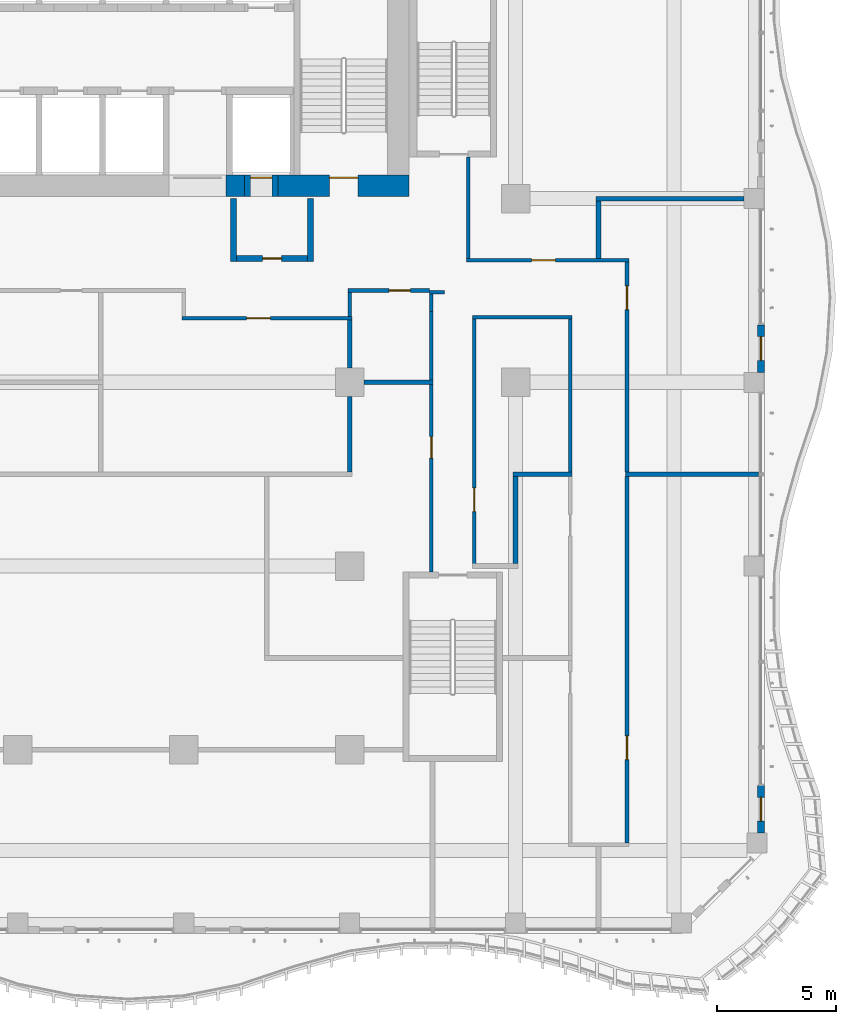
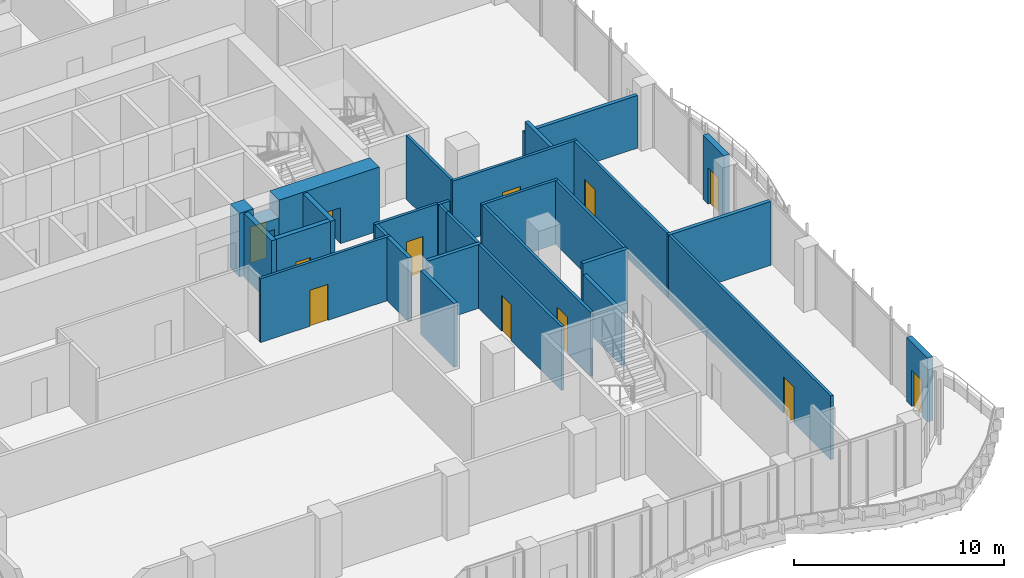
# One storey, part 14 of 27: 30 walls, 12 doors, 12 openings.
"""IFC4 building model written with IfcOpenShell, lengths in metres."""

import ifcopenshell
import ifcopenshell.guid

model = None  # the IFC model being written
_history = None  # IfcOwnerHistory: only IFC2X3 demands one
_inside = {}  # id of a spatial element -> (the spatial element, [elements in it])
_under = {}  # id of a project, library or spatial element -> (it, [spatial elements below it])
_declared = {}  # id of a project -> (the project, [libraries it declares])
_typed = {}  # id of a type object -> (the type object, [elements of that type])
_made_of = {}  # id of a material, layer set ... -> (it, [elements and type objects made of it])


def new_model(schema):
    """Start an empty IFC model of exactly this schema.

    Asked for "IFC4X3", IfcOpenShell would pick the latest addendum, in which some entities
    have other attributes; the version numbers below select the first issue.
    IFC2X3 requires an IfcOwnerHistory on every rooted entity: one is made here for all.
    """
    global model, _history
    if schema == "IFC4X3":
        model = ifcopenshell.file(schema_version=(4, 3, 0, 0))
    else:
        model = ifcopenshell.file(schema=schema)
    _inside.clear()
    _under.clear()
    _declared.clear()
    _typed.clear()
    _made_of.clear()
    _history = None
    if model.schema == "IFC2X3":
        org = make("IfcOrganization", Name="unknown")
        user = make(
            "IfcPersonAndOrganization",
            ThePerson=make("IfcPerson", FamilyName="unknown"),
            TheOrganization=org,
        )
        app = make(
            "IfcApplication",
            ApplicationDeveloper=org,
            Version="unknown",
            ApplicationFullName="unknown",
            ApplicationIdentifier="unknown",
        )
        _history = make(
            "IfcOwnerHistory",
            OwningUser=user,
            OwningApplication=app,
            ChangeAction="ADDED",
            CreationDate=0,
        )
    return model


def make(cls, **values):
    """One entity of the class cls with the attributes given. An attribute that is None is left unset."""
    return model.create_entity(
        cls, **{name: value for name, value in values.items() if value is not None}
    )


def rooted(cls, **values):
    """An entity with a GlobalId (a new one), such as an element, a storey or a relation."""
    return make(cls, GlobalId=ifcopenshell.guid.new(), OwnerHistory=_history, **values)


def si_unit(unit_type, name, prefix=None):
    """IfcSIUnit, for example si_unit("LENGTHUNIT", "METRE", prefix="MILLI")."""
    return make("IfcSIUnit", UnitType=unit_type, Prefix=prefix, Name=name)


def assignment(units):
    """IfcUnitAssignment: the units of a project."""
    return None if units is None else make("IfcUnitAssignment", Units=units)


def point(xyz):
    """IfcCartesianPoint."""
    return None if xyz is None else make("IfcCartesianPoint", Coordinates=xyz)


def direction(xyz):
    """IfcDirection."""
    return None if xyz is None else make("IfcDirection", DirectionRatios=xyz)


def frame(location, z_axis=None, x_axis=None):
    """IfcAxis2Placement3D, a coordinate frame: its origin and axes. An axis left out is left unset."""
    return make(
        "IfcAxis2Placement3D",
        Location=point(location),
        Axis=direction(z_axis),
        RefDirection=direction(x_axis),
    )


def frame_2d(location, x_axis=None):
    """IfcAxis2Placement2D, a coordinate frame in the plane: its origin and x axis."""
    return make(
        "IfcAxis2Placement2D", Location=point(location), RefDirection=direction(x_axis)
    )


def origin():
    """The frame at (0, 0, 0) with its axes left unset."""
    return frame((0.0, 0.0, 0.0))


def place(relative_to, where):
    """IfcLocalPlacement: puts the frame where relative to a parent placement (None: the world)."""
    return make(
        "IfcLocalPlacement", PlacementRelTo=relative_to, RelativePlacement=where
    )


def context(
    kind, dimensions, precision=None, world=None, true_north=None, identifier=None
):
    """IfcGeometricRepresentationContext, for example the 3D "Model" context."""
    return make(
        "IfcGeometricRepresentationContext",
        ContextIdentifier=identifier,
        ContextType=kind,
        CoordinateSpaceDimension=dimensions,
        Precision=precision,
        WorldCoordinateSystem=world,
        TrueNorth=true_north,
    )


def subcontext(parent, identifier, kind, view, scale=None):
    """IfcGeometricRepresentationSubContext, for example "Body" below "Model"."""
    return make(
        "IfcGeometricRepresentationSubContext",
        ContextIdentifier=identifier,
        ContextType=kind,
        ParentContext=parent,
        TargetScale=scale,
        TargetView=view,
    )


def project(units=None, contexts=None):
    """IfcProject with its units and contexts."""
    return rooted(
        "IfcProject",
        Name="project",
        RepresentationContexts=contexts,
        UnitsInContext=assignment(units),
    )


def spatial(cls, under=None, at=None, **own):
    """A site, building, storey or space (cls), placed at a placement, below another one or the project."""
    s = rooted(cls, ObjectPlacement=at, **own)
    if under is not None:
        _under.setdefault(under.id(), (under, []))[1].append(s)
    return s


def profile(cls, at=None, kind="AREA", **sizes):
    """A parametric profile (cls). Its sizes go by their IFC names, for example OverallWidth=200.0."""
    return make(cls, ProfileType=kind, Position=at, **sizes)


def rectangle(**sizes):
    """IfcRectangleProfileDef."""
    return profile("IfcRectangleProfileDef", **sizes)


def extrude(swept, where, along, depth):
    """IfcExtrudedAreaSolid: the profile swept, set in the frame where, extruded along a direction by depth."""
    return make(
        "IfcExtrudedAreaSolid",
        SweptArea=swept,
        Position=where,
        ExtrudedDirection=direction(along),
        Depth=depth,
    )


def shape(context_of_items, identifier, shape_type, items):
    """IfcShapeRepresentation: the items that make up one representation, for example the "Body"."""
    return make(
        "IfcShapeRepresentation",
        ContextOfItems=context_of_items,
        RepresentationIdentifier=identifier,
        RepresentationType=shape_type,
        Items=items,
    )


def source(mapping_origin, context_of_items, identifier, shape_type, items):
    """IfcRepresentationMap: a shape defined once, which mapped items show again and again."""
    return make(
        "IfcRepresentationMap",
        MappingOrigin=mapping_origin,
        MappedRepresentation=shape(context_of_items, identifier, shape_type, items),
    )


def transform(
    local_origin,
    x_axis=None,
    y_axis=None,
    z_axis=None,
    scale=None,
    scale2=None,
    scale3=None,
    uniform=True,
):
    """IfcCartesianTransformationOperator3D, or its non-uniform kind. x_axis, y_axis, z_axis: its Axis1, 2, 3."""
    if uniform:
        return make(
            "IfcCartesianTransformationOperator3D",
            Axis1=direction(x_axis),
            Axis2=direction(y_axis),
            LocalOrigin=point(local_origin),
            Scale=scale,
            Axis3=direction(z_axis),
        )
    return make(
        "IfcCartesianTransformationOperator3DnonUniform",
        Axis1=direction(x_axis),
        Axis2=direction(y_axis),
        LocalOrigin=point(local_origin),
        Scale=scale,
        Axis3=direction(z_axis),
        Scale2=scale2,
        Scale3=scale3,
    )


def mapped(mapping_source, mapping_target):
    """IfcMappedItem: shows the shape of a source again, moved by a transform."""
    return make(
        "IfcMappedItem", MappingSource=mapping_source, MappingTarget=mapping_target
    )


def material(Name=None, Category=None):
    """IfcMaterial."""
    return make("IfcMaterial", Name=Name, Category=Category)


def layer(
    of_material, thickness, ventilated=None, Name=None, Category=None, Priority=None
):
    """IfcMaterialLayer: one layer of a wall or slab, of a material (None: an air gap)."""
    return make(
        "IfcMaterialLayer",
        Material=of_material,
        LayerThickness=thickness,
        IsVentilated=ventilated,
        Name=Name,
        Category=Category,
        Priority=Priority,
    )


def layer_set(layers, Name=None):
    """IfcMaterialLayerSet."""
    return make("IfcMaterialLayerSet", MaterialLayers=layers, LayerSetName=Name)


def made_of(thing, what):
    """Note that an element or type object is made of a material, layer set ...; save() writes the relation."""
    if what is not None:
        _made_of.setdefault(what.id(), (what, []))[1].append(thing)
    return thing


def type_object(cls, material=None, **own):
    """A type object (cls), such as IfcWallType, which elements share."""
    return made_of(rooted(cls, **own), material)


def element(
    cls,
    number,
    at=None,
    inside=None,
    cuts=None,
    type_object=None,
    material=None,
    context=None,
    identifier="Body",
    shape_type=None,
    held_by="IfcProductDefinitionShape",
    body=None,
    shapes=None,
    **own,
):
    """One element of the class cls, such as IfcWall. Its Tag is "e" and its number.

    at: its placement. inside: the storey or other place that contains it. cuts: it is an
    opening in that element (IfcRelVoidsElement). A single representation is given by context,
    identifier, shape_type and body (its items); several are given by shapes. held_by: the class
    of the entity that holds the representations. save() writes the other relations.
    """
    e = rooted(cls, Tag="e%d" % number, ObjectPlacement=at, **own)
    if body is not None:
        shapes = [shape(context, identifier, shape_type, body)]
    if shapes is not None:
        e.Representation = make(held_by, Representations=shapes)
    if inside is not None:
        _inside.setdefault(inside.id(), (inside, []))[1].append(e)
    if cuts is not None:
        rooted(
            "IfcRelVoidsElement", RelatingBuildingElement=cuts, RelatedOpeningElement=e
        )
    if type_object is not None:
        _typed.setdefault(type_object.id(), (type_object, []))[1].append(e)
    return made_of(e, material)


def fill(opening, filler):
    """IfcRelFillsElement: the door or window that sits in an opening."""
    return rooted(
        "IfcRelFillsElement",
        RelatingOpeningElement=opening,
        RelatedBuildingElement=filler,
    )


def aggregate(whole, parts):
    """IfcRelAggregates: a whole, such as a stair, and the parts it consists of."""
    return rooted("IfcRelAggregates", RelatingObject=whole, RelatedObjects=parts)


def save(model, path):
    """Write the relations noted so far, then the file.

    IfcRelAggregates (storeys below a building ...), IfcRelContainedInSpatialStructure (elements
    in a storey), IfcRelDefinesByType, IfcRelAssociatesMaterial and IfcRelDeclares: one each for
    every whole, place, type object, material and project.
    """
    for whole, parts in _under.values():
        aggregate(whole, parts)
    for where, things in _inside.values():
        rooted(
            "IfcRelContainedInSpatialStructure",
            RelatedElements=things,
            RelatingStructure=where,
        )
    for kind, things in _typed.values():
        rooted("IfcRelDefinesByType", RelatedObjects=things, RelatingType=kind)
    for what, things in _made_of.values():
        rooted("IfcRelAssociatesMaterial", RelatedObjects=things, RelatingMaterial=what)
    for by, libraries in _declared.values():
        rooted("IfcRelDeclares", RelatingContext=by, RelatedDefinitions=libraries)
    model.write(path)


model = new_model("IFC4")

# Units and contexts
model_context = context("Model", 3, precision=1e-05, world=origin(), true_north=direction((0.0, 1.0)))
body_context = subcontext(model_context, "Body", "Model", "MODEL_VIEW")
ifc_project = project(units=[si_unit("LENGTHUNIT", "METRE"), si_unit("AREAUNIT", "SQUARE_METRE"), si_unit("VOLUMEUNIT", "CUBIC_METRE"), si_unit("PLANEANGLEUNIT", "RADIAN"), si_unit("MASSUNIT", "GRAM", prefix="KILO")], contexts=[model_context])

# Site, building, storey
site_placement = place(None, origin())
site = spatial("IfcSite", under=ifc_project, at=site_placement, CompositionType="ELEMENT")
building_placement = place(site_placement, origin())
building = spatial("IfcBuilding", under=site, at=building_placement, Name="Kilnfold Tower and Market Hall", CompositionType="ELEMENT")
storey_placement = place(building_placement, frame((0.0, 0.0, 112.60009765625)))
storey = spatial("IfcBuildingStorey", under=building, at=storey_placement, Name="L26", CompositionType="ELEMENT", Elevation=112.60009765625)

# Wall, opening, door
ifc_material_1 = material(Name="Gypsum board on steel studs", Category="steel")
ifc_layer_1 = layer(ifc_material_1, 0.14990234375)
ifc_layer_set_1 = layer_set([ifc_layer_1], Name="Gypsum board on steel studs")
wall_type_1 = type_object("IfcWallType", Name="WALL CORRIDOR 150", PredefinedType="PARTITIONING", material=ifc_layer_set_1)
wall_1_placement = place(storey_placement, frame((8.425048828125, 2.949951171875, 0.0), z_axis=(0.0, 0.0, 1.0), x_axis=(1.0, 0.0, 0.0)))
wall_1 = element("IfcWall", 1, at=wall_1_placement, inside=storey, type_object=wall_type_1, Name="Partition LY17.15", PredefinedType="PARTITIONING", context=body_context, shape_type="SweptSolid", body=[
    extrude(rectangle(XDim=7.175048828125, YDim=0.14990234375, at=frame_2d((3.58740234375, 0.0))), origin(), (0.0, 0.0, 1.0), 3.719970703125),
])
opening_1_placement = place(wall_1_placement, frame((2.73291015625, 0.0, 0.0)))
opening_1 = element("IfcOpeningElement", 2, at=opening_1_placement, cuts=wall_1, Name="Opening D1", PredefinedType="OPENING", context=body_context, shape_type="SweptSolid", body=[
    extrude(rectangle(XDim=1.0, YDim=2.10009765625, at=frame_2d((0.5, 1.050048828125))), frame((0.0, 0.0849609375, 0.0), z_axis=(0.0, -1.0, 0.0), x_axis=(1.0, 0.0, 0.0)), (0.0, 0.0, 1.0), 0.169921875),
])
ifc_material_2 = material(Name="Timber veneer door leaf in steel frame", Category="steel")
door_type_1 = type_object("IfcDoorType", Name="DOOR ENTRY 1000 X2100", OperationType="NOTDEFINED", PredefinedType="DOOR", material=ifc_material_2)
door_1_placement = place(opening_1_placement, origin())
door_1 = element("IfcDoor", 3, at=door_1_placement, inside=storey, type_object=door_type_1, Name="Door D1", OperationType="SINGLE_SWING_RIGHT", OverallHeight=2.10009765625, OverallWidth=1.0, PredefinedType="DOOR", context=body_context, shape_type="SweptSolid", body=[
    extrude(rectangle(XDim=1.0, YDim=2.10009765625, at=frame_2d((0.5, 1.050048828125))), frame((0.0, 0.02490234375, 0.0), z_axis=(0.0, -1.0, 0.0), x_axis=(1.0, 0.0, 0.0)), (0.0, 0.0, 1.0), 0.050048828125),
])
fill(opening_1, door_1)

wall_2_placement = place(storey_placement, frame((18.949951171875, -7.75, 0.0), z_axis=(0.0, 0.0, 1.0), x_axis=(0.0, 1.0, 0.0)))
wall_2 = element("IfcWall", 4, at=wall_2_placement, inside=storey, type_object=wall_type_1, Name="Partition LY17.17", PredefinedType="PARTITIONING", context=body_context, shape_type="SweptSolid", body=[
    extrude(rectangle(XDim=7.909912109375, YDim=0.14990234375, at=frame_2d((3.955078125, 0.0))), origin(), (0.0, 0.0, 1.0), 3.719970703125),
])
opening_2_placement = place(wall_2_placement, frame((4.806884765625, 0.0, 0.0)))
opening_2 = element("IfcOpeningElement", 5, at=opening_2_placement, cuts=wall_2, Name="Opening D2", PredefinedType="OPENING", context=body_context, shape_type="SweptSolid", body=[
    extrude(rectangle(XDim=0.89990234375, YDim=2.10009765625, at=frame_2d((0.449951171875, 1.050048828125))), frame((0.0, 0.0849609375, 0.0), z_axis=(0.0, -1.0, 0.0), x_axis=(1.0, 0.0, 0.0)), (0.0, 0.0, 1.0), 0.169921875),
])
ifc_material_3 = material(Name="Timber veneer door leaf in steel frame", Category="steel")
door_type_2 = type_object("IfcDoorType", Name="DOOR ROOM 900 X2100", OperationType="NOTDEFINED", PredefinedType="DOOR", material=ifc_material_3)
door_2_placement = place(opening_2_placement, origin())
door_2 = element("IfcDoor", 6, at=door_2_placement, inside=storey, type_object=door_type_2, Name="Door D2", OperationType="SINGLE_SWING_LEFT", OverallHeight=2.10009765625, OverallWidth=0.89990234375, PredefinedType="DOOR", context=body_context, shape_type="SweptSolid", body=[
    extrude(rectangle(XDim=0.89990234375, YDim=2.10009765625, at=frame_2d((0.449951171875, 1.050048828125))), frame((0.0, 0.02490234375, 0.0), z_axis=(0.0, -1.0, 0.0), x_axis=(1.0, 0.0, 0.0)), (0.0, 0.0, 1.0), 0.050048828125),
])
fill(opening_2, door_2)

wall_3_placement = place(storey_placement, frame((27.199951171875, -19.175048828125, 0.0), z_axis=(0.0, 0.0, 1.0), x_axis=(0.0, 1.0, 0.0)))
wall_3 = element("IfcWall", 7, at=wall_3_placement, inside=storey, type_object=wall_type_1, Name="Partition LY17.20", PredefinedType="PARTITIONING", context=body_context, shape_type="SweptSolid", body=[
    extrude(rectangle(XDim=15.4599609375, YDim=0.14990234375, at=frame_2d((7.72998046875, 0.0))), origin(), (0.0, 0.0, 1.0), 3.719970703125),
])
opening_3_placement = place(wall_3_placement, frame((3.513916015625, 0.0, 0.0)))
opening_3 = element("IfcOpeningElement", 8, at=opening_3_placement, cuts=wall_3, Name="Opening D1", PredefinedType="OPENING", context=body_context, shape_type="SweptSolid", body=[
    extrude(rectangle(XDim=1.0, YDim=2.10009765625, at=frame_2d((0.5, 1.050048828125))), frame((0.0, 0.0849609375, 0.0), z_axis=(0.0, -1.0, 0.0), x_axis=(1.0, 0.0, 0.0)), (0.0, 0.0, 1.0), 0.169921875),
])
door_3_placement = place(opening_3_placement, origin())
door_3 = element("IfcDoor", 9, at=door_3_placement, inside=storey, type_object=door_type_1, Name="Door D1", OperationType="SINGLE_SWING_RIGHT", OverallHeight=2.10009765625, OverallWidth=1.0, PredefinedType="DOOR", context=body_context, shape_type="SweptSolid", body=[
    extrude(rectangle(XDim=1.0, YDim=2.10009765625, at=frame_2d((0.5, 1.050048828125))), frame((0.0, 0.02490234375, 0.0), z_axis=(0.0, -1.0, 0.0), x_axis=(1.0, 0.0, 0.0)), (0.0, 0.0, 1.0), 0.050048828125),
])
fill(opening_3, door_3)

# Walls
wall_4_placement = place(storey_placement, frame((24.800048828125, -3.534912109375, 0.0), z_axis=(0.0, 0.0, 1.0), x_axis=(0.0, 1.0, 0.0)))
element("IfcWall", 10, at=wall_4_placement, inside=storey, type_object=wall_type_1, Name="Partition LY17.22", PredefinedType="PARTITIONING", context=body_context, shape_type="SweptSolid", body=[
    extrude(rectangle(XDim=6.4599609375, YDim=0.14990234375, at=frame_2d((3.22998046875, 0.0))), origin(), (0.0, 0.0, 1.0), 3.719970703125),
])
wall_5_placement = place(storey_placement, frame((20.675048828125, 3.0, 0.0), z_axis=(0.0, 0.0, 1.0), x_axis=(1.0, 0.0, 0.0)))
element("IfcWall", 11, at=wall_5_placement, inside=storey, type_object=wall_type_1, Name="Partition LY17.23", PredefinedType="PARTITIONING", context=body_context, shape_type="SweptSolid", body=[
    extrude(rectangle(XDim=4.199951171875, YDim=0.14990234375, at=frame_2d((2.10009765625, 0.0))), origin(), (0.0, 0.0, 1.0), 3.719970703125),
])

# Wall, opening, door
wall_6_placement = place(storey_placement, frame((20.75, -7.409912109375, 0.0), z_axis=(0.0, 0.0, 1.0), x_axis=(0.0, 1.0, 0.0)))
wall_6 = element("IfcWall", 12, at=wall_6_placement, inside=storey, type_object=wall_type_1, Name="Partition LY17.24", PredefinedType="PARTITIONING", context=body_context, shape_type="SweptSolid", body=[
    extrude(rectangle(XDim=10.3349609375, YDim=0.14990234375, at=frame_2d((5.16748046875, 0.0))), origin(), (0.0, 0.0, 1.0), 3.719970703125),
])
opening_4_placement = place(wall_6_placement, frame((2.2080078125, 0.0, 0.0)))
opening_4 = element("IfcOpeningElement", 13, at=opening_4_placement, cuts=wall_6, Name="Opening D1", PredefinedType="OPENING", context=body_context, shape_type="SweptSolid", body=[
    extrude(rectangle(XDim=1.0, YDim=2.10009765625, at=frame_2d((0.5, 1.050048828125))), frame((0.0, 0.0849609375, 0.0), z_axis=(0.0, -1.0, 0.0), x_axis=(1.0, 0.0, 0.0)), (0.0, 0.0, 1.0), 0.169921875),
])
door_4_placement = place(opening_4_placement, origin())
door_4 = element("IfcDoor", 14, at=door_4_placement, inside=storey, type_object=door_type_1, Name="Door D1", OperationType="SINGLE_SWING_LEFT", OverallHeight=2.10009765625, OverallWidth=1.0, PredefinedType="DOOR", context=body_context, shape_type="SweptSolid", body=[
    extrude(rectangle(XDim=1.0, YDim=2.10009765625, at=frame_2d((0.5, 1.050048828125))), frame((0.0, 0.02490234375, 0.0), z_axis=(0.0, -1.0, 0.0), x_axis=(1.0, 0.0, 0.0)), (0.0, 0.0, 1.0), 0.050048828125),
])
fill(opening_4, door_4)

# Walls
wall_7_placement = place(storey_placement, frame((18.949951171875, 0.340087890625, 0.0), z_axis=(0.0, 0.0, 1.0), x_axis=(0.0, 1.0, 0.0)))
element("IfcWall", 15, at=wall_7_placement, inside=storey, type_object=wall_type_1, Name="Partition LY17.25", PredefinedType="PARTITIONING", context=body_context, shape_type="SweptSolid", body=[
    extrude(rectangle(XDim=2.907958984375, YDim=0.14990234375, at=frame_2d((1.4541015625, 0.0))), origin(), (0.0, 0.0, 1.0), 3.719970703125),
])
wall_8_placement = place(storey_placement, frame((18.947998046875, 3.97705078125, 0.0), z_axis=(0.0, 0.0, 1.0), x_axis=(0.0, -1.0, 0.0)))
element("IfcWall", 16, at=wall_8_placement, inside=storey, type_object=wall_type_1, Name="Partition LY17.26", PredefinedType="PARTITIONING", context=body_context, shape_type="SweptSolid", body=[
    extrude(rectangle(XDim=0.72900390625, YDim=0.14990234375, at=frame_2d((0.364501953125, 0.0))), origin(), (0.0, 0.0, 1.0), 3.719970703125),
])
wall_9_placement = place(storey_placement, frame((18.873046875, 4.052001953125, 0.0), z_axis=(0.0, 0.0, 1.0), x_axis=(1.0, 0.0, 0.0)))
element("IfcWall", 17, at=wall_9_placement, inside=storey, type_object=wall_type_1, Name="Partition LY17.27", PredefinedType="PARTITIONING", context=body_context, shape_type="SweptSolid", body=[
    extrude(rectangle(XDim=0.626953125, YDim=0.14990234375, at=frame_2d((0.3134765625, 0.0))), origin(), (0.0, 0.0, 1.0), 3.719970703125),
])

# Wall, opening, door
wall_10_placement = place(storey_placement, frame((15.425048828125, 4.125, 0.0), z_axis=(0.0, 0.0, 1.0), x_axis=(1.0, 0.0, 0.0)))
wall_10 = element("IfcWall", 18, at=wall_10_placement, inside=storey, type_object=wall_type_1, Name="Partition LY17.28", PredefinedType="PARTITIONING", context=body_context, shape_type="SweptSolid", body=[
    extrude(rectangle(XDim=3.447998046875, YDim=0.14990234375, at=frame_2d((1.72412109375, 0.0))), origin(), (0.0, 0.0, 1.0), 3.719970703125),
])
opening_5_placement = place(wall_10_placement, frame((1.741943359375, 0.0, 0.0)))
opening_5 = element("IfcOpeningElement", 19, at=opening_5_placement, cuts=wall_10, Name="Opening D2", PredefinedType="OPENING", context=body_context, shape_type="SweptSolid", body=[
    extrude(rectangle(XDim=0.89990234375, YDim=2.10009765625, at=frame_2d((0.449951171875, 1.050048828125))), frame((0.0, 0.0849609375, 0.0), z_axis=(0.0, -1.0, 0.0), x_axis=(1.0, 0.0, 0.0)), (0.0, 0.0, 1.0), 0.169921875),
])
door_5_placement = place(opening_5_placement, origin())
door_5 = element("IfcDoor", 20, at=door_5_placement, inside=storey, type_object=door_type_2, Name="Door D2", OperationType="SINGLE_SWING_RIGHT", OverallHeight=2.10009765625, OverallWidth=0.89990234375, PredefinedType="DOOR", context=body_context, shape_type="SweptSolid", body=[
    extrude(rectangle(XDim=0.89990234375, YDim=2.10009765625, at=frame_2d((0.449951171875, 1.050048828125))), frame((0.0, 0.02490234375, 0.0), z_axis=(0.0, -1.0, 0.0), x_axis=(1.0, 0.0, 0.0)), (0.0, 0.0, 1.0), 0.050048828125),
])
fill(opening_5, door_5)

# Wall
wall_11_placement = place(storey_placement, frame((15.5, 3.02490234375, 0.0), z_axis=(0.0, 0.0, 1.0), x_axis=(0.0, 1.0, 0.0)))
element("IfcWall", 21, at=wall_11_placement, inside=storey, type_object=wall_type_1, Name="Partition LY17.29", PredefinedType="PARTITIONING", context=body_context, shape_type="SweptSolid", body=[
    extrude(rectangle(XDim=1.025146484375, YDim=0.14990234375, at=frame_2d((0.5126953125, 0.0))), origin(), (0.0, 0.0, 1.0), 3.719970703125),
])

# Wall, opening, door
wall_12_placement = place(storey_placement, frame((27.199951171875, -3.534912109375, 0.0), z_axis=(0.0, 0.0, 1.0), x_axis=(0.0, 1.0, 0.0)))
wall_12 = element("IfcWall", 22, at=wall_12_placement, inside=storey, type_object=wall_type_1, Name="Partition LY17.30", PredefinedType="PARTITIONING", context=body_context, shape_type="SweptSolid", body=[
    extrude(rectangle(XDim=8.85986328125, YDim=0.14990234375, at=frame_2d((4.429931640625, 0.0))), origin(), (0.0, 0.0, 1.0), 3.719970703125),
])
opening_6_placement = place(wall_12_placement, frame((6.85400390625, 0.0, 0.0)))
opening_6 = element("IfcOpeningElement", 23, at=opening_6_placement, cuts=wall_12, Name="Opening D1", PredefinedType="OPENING", context=body_context, shape_type="SweptSolid", body=[
    extrude(rectangle(XDim=1.0, YDim=2.10009765625, at=frame_2d((0.5, 1.050048828125))), frame((0.0, 0.0849609375, 0.0), z_axis=(0.0, -1.0, 0.0), x_axis=(1.0, 0.0, 0.0)), (0.0, 0.0, 1.0), 0.169921875),
])
door_6_placement = place(opening_6_placement, origin())
door_6 = element("IfcDoor", 24, at=door_6_placement, inside=storey, type_object=door_type_1, Name="Door D1", OperationType="SINGLE_SWING_LEFT", OverallHeight=2.10009765625, OverallWidth=1.0, PredefinedType="DOOR", context=body_context, shape_type="SweptSolid", body=[
    extrude(rectangle(XDim=1.0, YDim=2.10009765625, at=frame_2d((0.5, 1.050048828125))), frame((0.0, 0.02490234375, 0.0), z_axis=(0.0, -1.0, 0.0), x_axis=(1.0, 0.0, 0.0)), (0.0, 0.0, 1.0), 0.050048828125),
])
fill(opening_6, door_6)

# Wall
wall_13_placement = place(storey_placement, frame((20.5, 5.47509765625, 0.0), z_axis=(0.0, 0.0, 1.0), x_axis=(0.0, 1.0, 0.0)))
element("IfcWall", 25, at=wall_13_placement, inside=storey, type_object=wall_type_1, Name="Partition LY17.32", PredefinedType="PARTITIONING", context=body_context, shape_type="SweptSolid", body=[
    extrude(rectangle(XDim=4.27490234375, YDim=0.14990234375, at=frame_2d((2.137451171875, 0.0))), origin(), (0.0, 0.0, 1.0), 3.719970703125),
])

# Wall, opening, door
wall_14_placement = place(storey_placement, frame((20.425048828125, 5.39990234375, 0.0), z_axis=(0.0, 0.0, 1.0), x_axis=(1.0, 0.0, 0.0)))
wall_14 = element("IfcWall", 26, at=wall_14_placement, inside=storey, type_object=wall_type_1, Name="Partition LY17.33", PredefinedType="PARTITIONING", context=body_context, shape_type="SweptSolid", body=[
    extrude(rectangle(XDim=6.849853515625, YDim=0.14990234375, at=frame_2d((3.4248046875, 0.0))), origin(), (0.0, 0.0, 1.0), 3.719970703125),
])
opening_7_placement = place(wall_14_placement, frame((2.751953125, 0.0, 0.0)))
opening_7 = element("IfcOpeningElement", 27, at=opening_7_placement, cuts=wall_14, Name="Opening D1", PredefinedType="OPENING", context=body_context, shape_type="SweptSolid", body=[
    extrude(rectangle(XDim=1.0, YDim=2.10009765625, at=frame_2d((0.5, 1.050048828125))), frame((0.0, 0.0849609375, 0.0), z_axis=(0.0, -1.0, 0.0), x_axis=(1.0, 0.0, 0.0)), (0.0, 0.0, 1.0), 0.169921875),
])
door_7_placement = place(opening_7_placement, origin())
door_7 = element("IfcDoor", 28, at=door_7_placement, inside=storey, type_object=door_type_1, Name="Door D1", OperationType="SINGLE_SWING_LEFT", OverallHeight=2.10009765625, OverallWidth=1.0, PredefinedType="DOOR", context=body_context, shape_type="SweptSolid", body=[
    extrude(rectangle(XDim=1.0, YDim=2.10009765625, at=frame_2d((0.5, 1.050048828125))), frame((0.0, 0.02490234375, 0.0), z_axis=(0.0, -1.0, 0.0), x_axis=(1.0, 0.0, 0.0)), (0.0, 0.0, 1.0), 0.050048828125),
])
fill(opening_7, door_7)

# Walls
ifc_material_4 = material(Name="Gypsum board on steel studs", Category="steel")
ifc_layer_2 = layer(ifc_material_4, 0.199951171875)
ifc_layer_set_2 = layer_set([ifc_layer_2], Name="Gypsum board on steel studs")
wall_type_2 = type_object("IfcWallType", Name="WALL PARTY 200", PredefinedType="PARTITIONING", material=ifc_layer_set_2)
wall_15_placement = place(storey_placement, frame((15.5, -3.52490234375, 0.0), z_axis=(0.0, 0.0, 1.0), x_axis=(0.0, 1.0, 0.0)))
element("IfcWall", 29, at=wall_15_placement, inside=storey, type_object=wall_type_2, Name="Partition LY17.55", PredefinedType="PARTITIONING", context=body_context, shape_type="SweptSolid", body=[
    extrude(rectangle(XDim=3.1748046875, YDim=0.199951171875, at=frame_2d((1.58740234375, 0.0))), origin(), (0.0, 0.0, 1.0), 3.719970703125),
])
wall_16_placement = place(storey_placement, frame((15.5, 0.85009765625, 0.0), z_axis=(0.0, 0.0, 1.0), x_axis=(0.0, 1.0, 0.0)))
element("IfcWall", 30, at=wall_16_placement, inside=storey, type_object=wall_type_2, Name="Partition LY17.56", PredefinedType="PARTITIONING", context=body_context, shape_type="SweptSolid", body=[
    extrude(rectangle(XDim=2.02392578125, YDim=0.199951171875, at=frame_2d((1.011962890625, 0.0))), origin(), (0.0, 0.0, 1.0), 3.719970703125),
])
wall_17_placement = place(storey_placement, frame((16.10009765625, 0.25, 0.0), z_axis=(0.0, 0.0, 1.0), x_axis=(1.0, 0.0, 0.0)))
element("IfcWall", 31, at=wall_17_placement, inside=storey, type_object=wall_type_2, Name="Partition LY17.57", PredefinedType="PARTITIONING", context=body_context, shape_type="SweptSolid", body=[
    extrude(rectangle(XDim=2.923828125, YDim=0.199951171875, at=frame_2d((1.4619140625, 0.0))), origin(), (0.0, 0.0, 1.0), 3.719970703125),
])
wall_18_placement = place(storey_placement, frame((27.1259765625, -3.625, 0.0), z_axis=(0.0, 0.0, 1.0), x_axis=(1.0, 0.0, 0.0)))
element("IfcWall", 32, at=wall_18_placement, inside=storey, type_object=wall_type_2, Name="Partition LY17.60", PredefinedType="PARTITIONING", context=body_context, shape_type="SweptSolid", body=[
    extrude(rectangle(XDim=5.6240234375, YDim=0.199951171875, at=frame_2d((2.81201171875, 0.0))), origin(), (0.0, 0.0, 1.0), 3.719970703125),
])
wall_19_placement = place(storey_placement, frame((22.5, -3.72509765625, 0.0), z_axis=(0.0, 0.0, 1.0), x_axis=(0.0, -1.0, 0.0)))
element("IfcWall", 33, at=wall_19_placement, inside=storey, type_object=wall_type_2, Name="Partition LY17.62", PredefinedType="PARTITIONING", context=body_context, shape_type="SweptSolid", body=[
    extrude(rectangle(XDim=3.6748046875, YDim=0.199951171875, at=frame_2d((1.83740234375, 0.0))), origin(), (0.0, 0.0, 1.0), 3.06982421875),
])
wall_20_placement = place(storey_placement, frame((22.39990234375, -3.625, 0.0), z_axis=(0.0, 0.0, 1.0), x_axis=(1.0, 0.0, 0.0)))
element("IfcWall", 34, at=wall_20_placement, inside=storey, type_object=wall_type_2, Name="Partition LY17.63", PredefinedType="PARTITIONING", context=body_context, shape_type="SweptSolid", body=[
    extrude(rectangle(XDim=2.47412109375, YDim=0.199951171875, at=frame_2d((1.237060546875, 0.0))), origin(), (0.0, 0.0, 1.0), 3.719970703125),
])
wall_21_placement = place(storey_placement, frame((26.0, 5.47607421875, 0.0), z_axis=(0.0, 0.0, 1.0), x_axis=(0.0, 1.0, 0.0)))
element("IfcWall", 35, at=wall_21_placement, inside=storey, type_object=wall_type_2, Name="Partition LY17.64", PredefinedType="PARTITIONING", context=body_context, shape_type="SweptSolid", body=[
    extrude(rectangle(XDim=2.423828125, YDim=0.199951171875, at=frame_2d((1.2119140625, 0.0))), origin(), (0.0, 0.0, 1.0), 3.719970703125),
])
wall_22_placement = place(storey_placement, frame((25.89990234375, 8.0, 0.0), z_axis=(0.0, 0.0, 1.0), x_axis=(1.0, 0.0, 0.0)))
element("IfcWall", 36, at=wall_22_placement, inside=storey, type_object=wall_type_2, Name="Partition LY17.65", PredefinedType="PARTITIONING", context=body_context, shape_type="SweptSolid", body=[
    extrude(rectangle(XDim=6.22509765625, YDim=0.199951171875, at=frame_2d((3.112548828125, 0.0))), origin(), (0.0, 0.0, 1.0), 3.06982421875),
])
ifc_material_5 = material(Name="Concrete C70", Category="concrete")
ifc_layer_3 = layer(ifc_material_5, 0.89990234375)
ifc_layer_set_3 = layer_set([ifc_layer_3], Name="Concrete C70")
wall_type_3 = type_object("IfcWallType", Name="CORE WALL 900 C70", PredefinedType="SHEAR", material=ifc_layer_set_3)
shared_shape_1 = source(origin(), body_context, "Body", "SweptSolid", [
    extrude(rectangle(XDim=0.780029296875, YDim=0.89990234375, at=frame_2d((0.39013671875, 0.0))), origin(), (0.0, 0.0, 1.0), 3.719970703125),
])
wall_23_placement = place(storey_placement, frame((10.2900390625, 8.550048828125, 0.0), z_axis=(0.0, 0.0, 1.0), x_axis=(1.0, 0.0, 0.0)))
element("IfcWall", 37, at=wall_23_placement, inside=storey, type_object=wall_type_3, Name="Core outer wall south", PredefinedType="SHEAR", context=body_context, shape_type="MappedRepresentation", body=[
    mapped(shared_shape_1, transform((0.0, 0.0, 0.0))),
])

# Wall, opening, door
shared_shape_2 = source(origin(), body_context, "Body", "SweptSolid", [
    extrude(rectangle(XDim=5.530029296875, YDim=0.89990234375, at=frame_2d((2.76513671875, 0.0))), origin(), (0.0, 0.0, 1.0), 3.719970703125),
])
wall_24_placement = place(storey_placement, frame((12.469970703125, 8.550048828125, 0.0), z_axis=(0.0, 0.0, 1.0), x_axis=(1.0, 0.0, 0.0)))
wall_24 = element("IfcWall", 38, at=wall_24_placement, inside=storey, type_object=wall_type_3, Name="Core outer wall south", PredefinedType="SHEAR", context=body_context, shape_type="MappedRepresentation", body=[
    mapped(shared_shape_2, transform((0.0, 0.0, 0.0))),
])
opening_8_placement = place(wall_24_placement, frame((2.179931640625, 0.0, 0.0)))
opening_8 = element("IfcOpeningElement", 39, at=opening_8_placement, cuts=wall_24, Name="Opening SD1", PredefinedType="OPENING", context=body_context, shape_type="SweptSolid", body=[
    extrude(rectangle(XDim=1.199951171875, YDim=2.10009765625, at=frame_2d((0.60009765625, 1.050048828125))), frame((0.0, 0.4599609375, 0.0), z_axis=(0.0, -1.0, 0.0), x_axis=(1.0, 0.0, 0.0)), (0.0, 0.0, 1.0), 0.919921875),
])
ifc_material_6 = material(Name="Steel door set with fire-resisting leaf", Category="steel")
door_type_3 = type_object("IfcDoorType", Name="STAIR FLOOR DOOR 1200X2100", OperationType="NOTDEFINED", PredefinedType="DOOR", material=ifc_material_6)
door_8_placement = place(opening_8_placement, origin())
door_8 = element("IfcDoor", 40, at=door_8_placement, inside=storey, type_object=door_type_3, Name="Exit stair ST2 door", OperationType="DOUBLE_DOOR_SINGLE_SWING", OverallHeight=2.10009765625, OverallWidth=1.199951171875, PredefinedType="DOOR", context=body_context, shape_type="SweptSolid", body=[
    extrude(rectangle(XDim=1.199951171875, YDim=2.10009765625, at=frame_2d((0.60009765625, 1.050048828125))), frame((0.0, 0.35498046875, 0.0), z_axis=(0.0, -1.0, 0.0), x_axis=(1.0, 0.0, 0.0)), (0.0, 0.0, 1.0), 0.050048828125),
])
fill(opening_8, door_8)

ifc_material_7 = material(Name="Precast concrete C50/60", Category="concrete")
ifc_layer_4 = layer(ifc_material_7, 0.300048828125)
ifc_layer_set_4 = layer_set([ifc_layer_4], Name="Precast concrete C50/60")
wall_type_4 = type_object("IfcWallType", Name="PRECAST WALL 300", PredefinedType="SOLIDWALL", material=ifc_layer_set_4)
shared_shape_3 = source(origin(), body_context, "Body", "SweptSolid", [
    extrude(rectangle(XDim=2.0, YDim=0.300048828125, at=frame_2d((1.0, 0.0))), origin(), (0.0, 0.0, 1.0), 3.719970703125),
])
wall_25_placement = place(storey_placement, frame((32.85009765625, -18.7568359375, 0.0), z_axis=(0.0, 0.0, 1.0), x_axis=(0.0, 1.0, 0.0)))
wall_25 = element("IfcWall", 41, at=wall_25_placement, inside=storey, type_object=wall_type_4, Name="External wall L26 E", PredefinedType="SOLIDWALL", context=body_context, shape_type="MappedRepresentation", body=[
    mapped(shared_shape_3, transform((0.0, 0.0, 0.0))),
])
opening_9_placement = place(wall_25_placement, frame((0.5, 0.0, 0.0)))
opening_9 = element("IfcOpeningElement", 42, at=opening_9_placement, cuts=wall_25, Name="Opening BD1", PredefinedType="OPENING", context=body_context, shape_type="SweptSolid", body=[
    extrude(rectangle(XDim=1.0, YDim=2.10009765625, at=frame_2d((0.5, 1.050048828125))), frame((0.0, 0.16015625, 0.0), z_axis=(0.0, -1.0, 0.0), x_axis=(1.0, 0.0, 0.0)), (0.0, 0.0, 1.0), 0.320068359375),
])
ifc_material_8 = material(Name="Aluminium frame and double glazing", Category="aluminium")
door_type_4 = type_object("IfcDoorType", Name="BALCONY DOOR 1000X2100", OperationType="NOTDEFINED", PredefinedType="DOOR", material=ifc_material_8)
door_9_placement = place(opening_9_placement, origin())
door_9 = element("IfcDoor", 43, at=door_9_placement, inside=storey, type_object=door_type_4, Name="Balcony door BD1 L26 E-1", OperationType="SINGLE_SWING_LEFT", OverallHeight=2.10009765625, OverallWidth=1.0, PredefinedType="DOOR", context=body_context, shape_type="SweptSolid", body=[
    extrude(rectangle(XDim=1.0, YDim=2.10009765625, at=frame_2d((0.5, 1.050048828125))), frame((0.0, 0.02490234375, 0.0), z_axis=(0.0, -1.0, 0.0), x_axis=(1.0, 0.0, 0.0)), (0.0, 0.0, 1.0), 0.050048828125),
])
fill(opening_9, door_9)

wall_26_placement = place(storey_placement, frame((32.85009765625, 0.675048828125, 0.0), z_axis=(0.0, 0.0, 1.0), x_axis=(0.0, 1.0, 0.0)))
wall_26 = element("IfcWall", 44, at=wall_26_placement, inside=storey, type_object=wall_type_4, Name="External wall L26 E", PredefinedType="SOLIDWALL", context=body_context, shape_type="MappedRepresentation", body=[
    mapped(shared_shape_3, transform((0.0, 0.0, 0.0))),
])
opening_10_placement = place(wall_26_placement, frame((0.5, 0.0, 0.0)))
opening_10 = element("IfcOpeningElement", 45, at=opening_10_placement, cuts=wall_26, Name="Opening BD1", PredefinedType="OPENING", context=body_context, shape_type="SweptSolid", body=[
    extrude(rectangle(XDim=1.0, YDim=2.10009765625, at=frame_2d((0.5, 1.050048828125))), frame((0.0, 0.16015625, 0.0), z_axis=(0.0, -1.0, 0.0), x_axis=(1.0, 0.0, 0.0)), (0.0, 0.0, 1.0), 0.320068359375),
])
door_10_placement = place(opening_10_placement, origin())
door_10 = element("IfcDoor", 46, at=door_10_placement, inside=storey, type_object=door_type_4, Name="Balcony door BD1 L26 E-1", OperationType="SINGLE_SWING_LEFT", OverallHeight=2.10009765625, OverallWidth=1.0, PredefinedType="DOOR", context=body_context, shape_type="SweptSolid", body=[
    extrude(rectangle(XDim=1.0, YDim=2.10009765625, at=frame_2d((0.5, 1.050048828125))), frame((0.0, 0.02490234375, 0.0), z_axis=(0.0, -1.0, 0.0), x_axis=(1.0, 0.0, 0.0)), (0.0, 0.0, 1.0), 0.050048828125),
])
fill(opening_10, door_10)

# Walls
ifc_material_9 = material(Name="Gypsum shaft wall system")
ifc_layer_5 = layer(ifc_material_9, 0.25)
ifc_layer_set_5 = layer_set([ifc_layer_5], Name="Gypsum shaft wall system")
wall_type_5 = type_object("IfcWallType", Name="LOBBY WALL 250", PredefinedType="PARTITIONING", material=ifc_layer_set_5)
shared_shape_4 = source(origin(), body_context, "Body", "SweptSolid", [
    extrude(rectangle(XDim=2.64990234375, YDim=0.25, at=frame_2d((1.324951171875, 0.0))), origin(), (0.0, 0.0, 1.0), 3.719970703125),
])
for number, where, z_axis, x_axis, name in (
    (47, (10.60498046875, 5.35009765625, 0.0), (0.0, 0.0, 1.0), (0.0, 1.0, 0.0), "Firefighting lobby wall"),
    (48, (13.85498046875, 5.35009765625, 0.0), (0.0, 0.0, 1.0), (0.0, 1.0, 0.0), "Firefighting lobby wall"),
):
    element("IfcWall", number, at=place(storey_placement, frame(where, z_axis=z_axis, x_axis=x_axis)), inside=storey, type_object=wall_type_5, Name=name, PredefinedType="PARTITIONING", context=body_context, shape_type="MappedRepresentation", body=[
        mapped(shared_shape_4, transform((0.0, 0.0, 0.0))),
    ])

# Wall, opening, door
shared_shape_5 = source(origin(), body_context, "Body", "SweptSolid", [
    extrude(rectangle(XDim=3.0, YDim=0.25, at=frame_2d((1.5, 0.0))), origin(), (0.0, 0.0, 1.0), 3.719970703125),
])
wall_27_placement = place(storey_placement, frame((10.72998046875, 5.47509765625, 0.0), z_axis=(0.0, 0.0, 1.0), x_axis=(1.0, 0.0, 0.0)))
wall_27 = element("IfcWall", 49, at=wall_27_placement, inside=storey, type_object=wall_type_5, Name="Firefighting lobby wall", PredefinedType="PARTITIONING", context=body_context, shape_type="MappedRepresentation", body=[
    mapped(shared_shape_5, transform((0.0, 0.0, 0.0))),
])
opening_11_placement = place(wall_27_placement, frame((1.10009765625, 0.0, 0.0)))
opening_11 = element("IfcOpeningElement", 50, at=opening_11_placement, cuts=wall_27, Name="Opening VD1", PredefinedType="OPENING", context=body_context, shape_type="SweptSolid", body=[
    extrude(rectangle(XDim=0.800048828125, YDim=2.0, at=frame_2d((0.39990234375, 1.0))), frame((0.0, 0.135009765625, 0.0), z_axis=(0.0, -1.0, 0.0), x_axis=(1.0, 0.0, 0.0)), (0.0, 0.0, 1.0), 0.27001953125),
])
ifc_material_10 = material(Name="Steel door set with fire-resisting leaf", Category="steel")
door_type_5 = type_object("IfcDoorType", Name="FIREFIGHTING LOBBY DOOR 800X2000", OperationType="NOTDEFINED", PredefinedType="DOOR", material=ifc_material_10)
door_11_placement = place(opening_11_placement, origin())
door_11 = element("IfcDoor", 51, at=door_11_placement, inside=storey, type_object=door_type_5, Name="Firefighting lobby door", OperationType="SINGLE_SWING_RIGHT", OverallHeight=2.0, OverallWidth=0.800048828125, PredefinedType="DOOR", context=body_context, shape_type="SweptSolid", body=[
    extrude(rectangle(XDim=0.800048828125, YDim=2.0, at=frame_2d((0.39990234375, 1.0))), frame((0.0, 0.02490234375, 0.0), z_axis=(0.0, -1.0, 0.0), x_axis=(1.0, 0.0, 0.0)), (0.0, 0.0, 1.0), 0.050048828125),
])
fill(opening_11, door_11)

ifc_material_11 = material(Name="Gypsum shaft wall system")
ifc_layer_6 = layer(ifc_material_11, 0.89990234375)
ifc_layer_set_6 = layer_set([ifc_layer_6], Name="Gypsum shaft wall system")
wall_type_6 = type_object("IfcWallType", Name="LOBBY WALL 900", PredefinedType="PARTITIONING", material=ifc_layer_set_6)
shared_shape_6 = source(origin(), body_context, "Body", "SweptSolid", [
    extrude(rectangle(XDim=1.39990234375, YDim=0.89990234375, at=frame_2d((0.699951171875, 0.0))), origin(), (0.0, 0.0, 1.0), 2.699951171875),
])
wall_28_placement = place(storey_placement, frame((11.070068359375, 8.550048828125, 0.0), z_axis=(0.0, 0.0, 1.0), x_axis=(1.0, 0.0, 0.0)))
wall_28 = element("IfcWall", 52, at=wall_28_placement, inside=storey, type_object=wall_type_6, Name="Core wall infill", PredefinedType="PARTITIONING", context=body_context, shape_type="MappedRepresentation", body=[
    mapped(shared_shape_6, transform((0.0, 0.0, 0.0))),
])
opening_12_placement = place(wall_28_placement, frame((0.25, 0.0, 0.0)))
opening_12 = element("IfcOpeningElement", 53, at=opening_12_placement, cuts=wall_28, Name="Opening LD1", PredefinedType="OPENING", context=body_context, shape_type="SweptSolid", body=[
    extrude(rectangle(XDim=0.89990234375, YDim=2.10009765625, at=frame_2d((0.449951171875, 1.050048828125))), frame((0.0, 0.4599609375, 0.0), z_axis=(0.0, -1.0, 0.0), x_axis=(1.0, 0.0, 0.0)), (0.0, 0.0, 1.0), 0.919921875),
])
ifc_material_12 = material(Name="Steel door set with fire-resisting leaf", Category="steel")
door_type_6 = type_object("IfcDoorType", Name="FIREFIGHTING LANDING DOOR 900X2100", OperationType="NOTDEFINED", PredefinedType="DOOR", material=ifc_material_12)
door_12_placement = place(opening_12_placement, origin())
door_12 = element("IfcDoor", 54, at=door_12_placement, inside=storey, type_object=door_type_6, Name="Landing door FF3", OperationType="SLIDING_TO_LEFT", OverallHeight=2.10009765625, OverallWidth=0.89990234375, PredefinedType="DOOR", context=body_context, shape_type="SweptSolid", body=[
    extrude(rectangle(XDim=0.89990234375, YDim=2.10009765625, at=frame_2d((0.449951171875, 1.050048828125))), frame((0.0, 0.35498046875, 0.0), z_axis=(0.0, -1.0, 0.0), x_axis=(1.0, 0.0, 0.0)), (0.0, 0.0, 1.0), 0.050048828125),
])
fill(opening_12, door_12)

save(model, "model.ifc")
